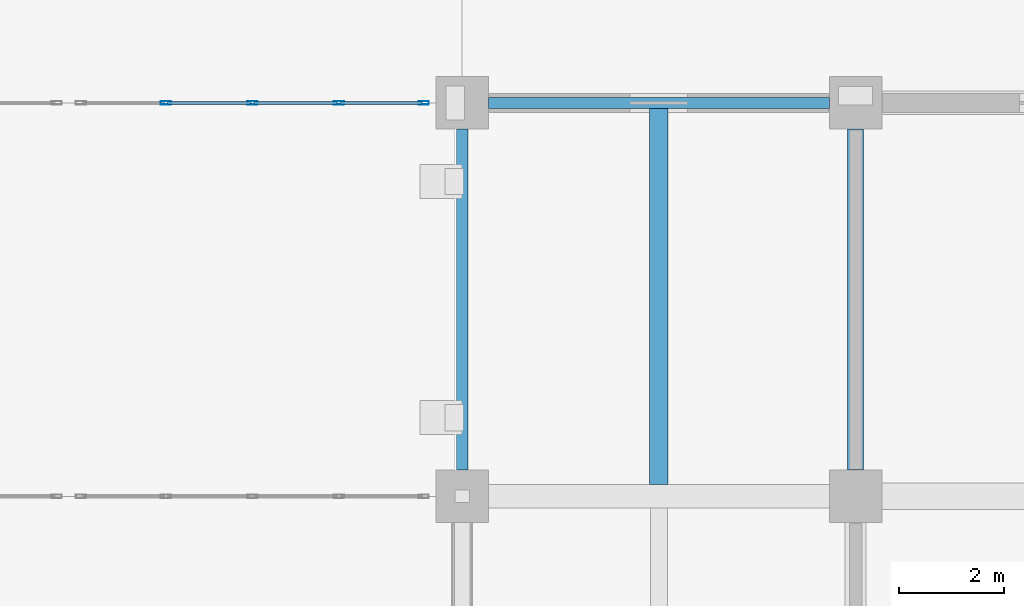
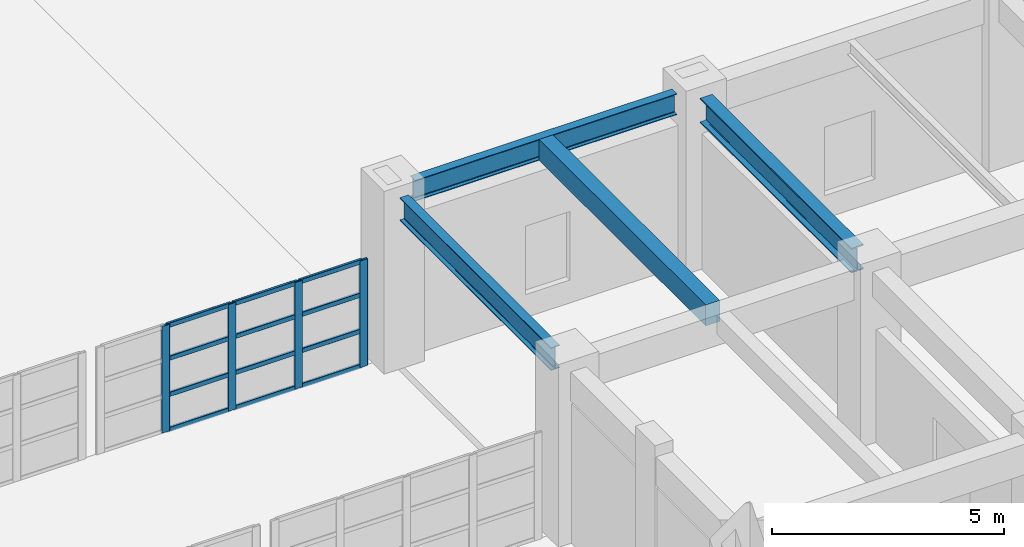
# One storey, part 40 of 122: 16 members, 4 beams, 1 element without a shape of its own.
"""IFC4 building model written with IfcOpenShell, lengths in metres."""

import ifcopenshell
import ifcopenshell.guid

model = None  # the IFC model being written
_history = None  # IfcOwnerHistory: only IFC2X3 demands one
_inside = {}  # id of a spatial element -> (the spatial element, [elements in it])
_under = {}  # id of a project, library or spatial element -> (it, [spatial elements below it])
_declared = {}  # id of a project -> (the project, [libraries it declares])
_typed = {}  # id of a type object -> (the type object, [elements of that type])
_made_of = {}  # id of a material, layer set ... -> (it, [elements and type objects made of it])


def new_model(schema):
    """Start an empty IFC model of exactly this schema.

    Asked for "IFC4X3", IfcOpenShell would pick the latest addendum, in which some entities
    have other attributes; the version numbers below select the first issue.
    IFC2X3 requires an IfcOwnerHistory on every rooted entity: one is made here for all.
    """
    global model, _history
    if schema == "IFC4X3":
        model = ifcopenshell.file(schema_version=(4, 3, 0, 0))
    else:
        model = ifcopenshell.file(schema=schema)
    _inside.clear()
    _under.clear()
    _declared.clear()
    _typed.clear()
    _made_of.clear()
    _history = None
    if model.schema == "IFC2X3":
        org = make("IfcOrganization", Name="unknown")
        user = make(
            "IfcPersonAndOrganization",
            ThePerson=make("IfcPerson", FamilyName="unknown"),
            TheOrganization=org,
        )
        app = make(
            "IfcApplication",
            ApplicationDeveloper=org,
            Version="unknown",
            ApplicationFullName="unknown",
            ApplicationIdentifier="unknown",
        )
        _history = make(
            "IfcOwnerHistory",
            OwningUser=user,
            OwningApplication=app,
            ChangeAction="ADDED",
            CreationDate=0,
        )
    return model


def make(cls, **values):
    """One entity of the class cls with the attributes given. An attribute that is None is left unset."""
    return model.create_entity(
        cls, **{name: value for name, value in values.items() if value is not None}
    )


def rooted(cls, **values):
    """An entity with a GlobalId (a new one), such as an element, a storey or a relation."""
    return make(cls, GlobalId=ifcopenshell.guid.new(), OwnerHistory=_history, **values)


def si_unit(unit_type, name, prefix=None):
    """IfcSIUnit, for example si_unit("LENGTHUNIT", "METRE", prefix="MILLI")."""
    return make("IfcSIUnit", UnitType=unit_type, Prefix=prefix, Name=name)


def assignment(units):
    """IfcUnitAssignment: the units of a project."""
    return None if units is None else make("IfcUnitAssignment", Units=units)


def point(xyz):
    """IfcCartesianPoint."""
    return None if xyz is None else make("IfcCartesianPoint", Coordinates=xyz)


def direction(xyz):
    """IfcDirection."""
    return None if xyz is None else make("IfcDirection", DirectionRatios=xyz)


def frame(location, z_axis=None, x_axis=None):
    """IfcAxis2Placement3D, a coordinate frame: its origin and axes. An axis left out is left unset."""
    return make(
        "IfcAxis2Placement3D",
        Location=point(location),
        Axis=direction(z_axis),
        RefDirection=direction(x_axis),
    )


def frame_2d(location, x_axis=None):
    """IfcAxis2Placement2D, a coordinate frame in the plane: its origin and x axis."""
    return make(
        "IfcAxis2Placement2D", Location=point(location), RefDirection=direction(x_axis)
    )


def origin():
    """The frame at (0, 0, 0) with its axes left unset."""
    return frame((0.0, 0.0, 0.0))


def origin_2d():
    """The frame at (0, 0) in the plane with its x axis left unset."""
    return frame_2d((0.0, 0.0))


def place(relative_to, where):
    """IfcLocalPlacement: puts the frame where relative to a parent placement (None: the world)."""
    return make(
        "IfcLocalPlacement", PlacementRelTo=relative_to, RelativePlacement=where
    )


def context(
    kind, dimensions, precision=None, world=None, true_north=None, identifier=None
):
    """IfcGeometricRepresentationContext, for example the 3D "Model" context."""
    return make(
        "IfcGeometricRepresentationContext",
        ContextIdentifier=identifier,
        ContextType=kind,
        CoordinateSpaceDimension=dimensions,
        Precision=precision,
        WorldCoordinateSystem=world,
        TrueNorth=true_north,
    )


def subcontext(parent, identifier, kind, view, scale=None):
    """IfcGeometricRepresentationSubContext, for example "Body" below "Model"."""
    return make(
        "IfcGeometricRepresentationSubContext",
        ContextIdentifier=identifier,
        ContextType=kind,
        ParentContext=parent,
        TargetScale=scale,
        TargetView=view,
    )


def project(units=None, contexts=None):
    """IfcProject with its units and contexts."""
    return rooted(
        "IfcProject",
        Name="project",
        RepresentationContexts=contexts,
        UnitsInContext=assignment(units),
    )


def spatial(cls, under=None, at=None, **own):
    """A site, building, storey or space (cls), placed at a placement, below another one or the project."""
    s = rooted(cls, ObjectPlacement=at, **own)
    if under is not None:
        _under.setdefault(under.id(), (under, []))[1].append(s)
    return s


def profile(cls, at=None, kind="AREA", **sizes):
    """A parametric profile (cls). Its sizes go by their IFC names, for example OverallWidth=200.0."""
    return make(cls, ProfileType=kind, Position=at, **sizes)


def rectangle(**sizes):
    """IfcRectangleProfileDef."""
    return profile("IfcRectangleProfileDef", **sizes)


def hollow_rectangle(**sizes):
    """IfcRectangleHollowProfileDef."""
    return profile("IfcRectangleHollowProfileDef", **sizes)


def i_section(**sizes):
    """IfcIShapeProfileDef."""
    return profile("IfcIShapeProfileDef", **sizes)


def extrude(swept, where, along, depth):
    """IfcExtrudedAreaSolid: the profile swept, set in the frame where, extruded along a direction by depth."""
    return make(
        "IfcExtrudedAreaSolid",
        SweptArea=swept,
        Position=where,
        ExtrudedDirection=direction(along),
        Depth=depth,
    )


def shape(context_of_items, identifier, shape_type, items):
    """IfcShapeRepresentation: the items that make up one representation, for example the "Body"."""
    return make(
        "IfcShapeRepresentation",
        ContextOfItems=context_of_items,
        RepresentationIdentifier=identifier,
        RepresentationType=shape_type,
        Items=items,
    )


def material(Name=None, Category=None):
    """IfcMaterial."""
    return make("IfcMaterial", Name=Name, Category=Category)


def material_profile(
    of_material, cross_section, Name=None, Category=None, Priority=None
):
    """IfcMaterialProfile: a cross section and its material."""
    return make(
        "IfcMaterialProfile",
        Name=Name,
        Material=of_material,
        Profile=cross_section,
        Priority=Priority,
        Category=Category,
    )


def profile_set(profiles, Name=None, composite=None):
    """IfcMaterialProfileSet."""
    return make(
        "IfcMaterialProfileSet",
        Name=Name,
        MaterialProfiles=profiles,
        CompositeProfile=composite,
    )


def made_of(thing, what):
    """Note that an element or type object is made of a material, layer set ...; save() writes the relation."""
    if what is not None:
        _made_of.setdefault(what.id(), (what, []))[1].append(thing)
    return thing


def type_object(cls, material=None, **own):
    """A type object (cls), such as IfcWallType, which elements share."""
    return made_of(rooted(cls, **own), material)


def element(
    cls,
    number,
    at=None,
    inside=None,
    cuts=None,
    type_object=None,
    material=None,
    context=None,
    identifier="Body",
    shape_type=None,
    held_by="IfcProductDefinitionShape",
    body=None,
    shapes=None,
    **own,
):
    """One element of the class cls, such as IfcWall. Its Tag is "e" and its number.

    at: its placement. inside: the storey or other place that contains it. cuts: it is an
    opening in that element (IfcRelVoidsElement). A single representation is given by context,
    identifier, shape_type and body (its items); several are given by shapes. held_by: the class
    of the entity that holds the representations. save() writes the other relations.
    """
    e = rooted(cls, Tag="e%d" % number, ObjectPlacement=at, **own)
    if body is not None:
        shapes = [shape(context, identifier, shape_type, body)]
    if shapes is not None:
        e.Representation = make(held_by, Representations=shapes)
    if inside is not None:
        _inside.setdefault(inside.id(), (inside, []))[1].append(e)
    if cuts is not None:
        rooted(
            "IfcRelVoidsElement", RelatingBuildingElement=cuts, RelatedOpeningElement=e
        )
    if type_object is not None:
        _typed.setdefault(type_object.id(), (type_object, []))[1].append(e)
    return made_of(e, material)


def aggregate(whole, parts):
    """IfcRelAggregates: a whole, such as a stair, and the parts it consists of."""
    return rooted("IfcRelAggregates", RelatingObject=whole, RelatedObjects=parts)


def save(model, path):
    """Write the relations noted so far, then the file.

    IfcRelAggregates (storeys below a building ...), IfcRelContainedInSpatialStructure (elements
    in a storey), IfcRelDefinesByType, IfcRelAssociatesMaterial and IfcRelDeclares: one each for
    every whole, place, type object, material and project.
    """
    for whole, parts in _under.values():
        aggregate(whole, parts)
    for where, things in _inside.values():
        rooted(
            "IfcRelContainedInSpatialStructure",
            RelatedElements=things,
            RelatingStructure=where,
        )
    for kind, things in _typed.values():
        rooted("IfcRelDefinesByType", RelatedObjects=things, RelatingType=kind)
    for what, things in _made_of.values():
        rooted("IfcRelAssociatesMaterial", RelatedObjects=things, RelatingMaterial=what)
    for by, libraries in _declared.values():
        rooted("IfcRelDeclares", RelatingContext=by, RelatedDefinitions=libraries)
    model.write(path)


model = new_model("IFC4")

# Units and contexts
model_context = context("Model", 3, precision=1e-05, world=origin(), true_north=direction((0.0, 1.0)))
body_context = subcontext(model_context, "Body", "Model", "MODEL_VIEW")
ifc_project = project(units=[si_unit("LENGTHUNIT", "METRE"), si_unit("AREAUNIT", "SQUARE_METRE"), si_unit("VOLUMEUNIT", "CUBIC_METRE"), si_unit("PLANEANGLEUNIT", "RADIAN"), si_unit("MASSUNIT", "GRAM", prefix="KILO")], contexts=[model_context])

# Site, building, storey
site_placement = place(None, origin())
site = spatial("IfcSite", under=ifc_project, at=site_placement, CompositionType="ELEMENT")
building_placement = place(site_placement, origin())
building = spatial("IfcBuilding", under=site, at=building_placement, Name="Qasida Concert Hall", CompositionType="ELEMENT")
storey_placement = place(building_placement, origin())
storey = spatial("IfcBuildingStorey", under=building, at=storey_placement, Name="L00", CompositionType="ELEMENT", Elevation=0.0)

# Beams
ifc_material_1 = material(Name="Steel S355J2", Category="steel")
ifc_material_profile_1 = material_profile(ifc_material_1, i_section(OverallWidth=0.300048828125, OverallDepth=0.64990234375, WebThickness=0.01611328125, FlangeThickness=0.031005859375, FilletRadius=0.027099609375, at=origin_2d()), Name="HEB 650")
ifc_profile_set_1 = profile_set([ifc_material_profile_1], Name="Steel S355J2")
beam_type_1 = type_object("IfcBeamType", Name="BM-B13", PredefinedType="BEAM", material=ifc_profile_set_1)
beam_1_placement = place(storey_placement, frame((60.0, 75.5, 4.175048828125), z_axis=(0.0, 1.0, 0.0), x_axis=(-1.0, 0.0, 0.0)))
element("IfcBeam", 1, at=beam_1_placement, inside=storey, type_object=beam_type_1, Name="L00 girder 0415", PredefinedType="BEAM", context=body_context, shape_type="SweptSolid", body=[
    extrude(i_section(OverallWidth=0.300048828125, OverallDepth=0.64990234375, WebThickness=0.01611328125, FlangeThickness=0.031005859375, FilletRadius=0.027099609375, at=origin_2d()), origin(), (0.0, 0.0, 1.0), 6.5),
])
ifc_material_2 = material(Name="Concrete C40/50", Category="concrete")
ifc_material_profile_2 = material_profile(ifc_material_2, rectangle(XDim=0.35009765625, YDim=0.550048828125, at=origin_2d()), Name="RC 350x550")
ifc_profile_set_2 = profile_set([ifc_material_profile_2], Name="Concrete C40/50")
beam_type_2 = type_object("IfcBeamType", Name="BM-J8", PredefinedType="JOIST", material=ifc_profile_set_2)
beam_2_placement = place(storey_placement, frame((56.25, 75.22509765625, 4.22509765625), z_axis=(0.0, 1.0, 0.0), x_axis=(-1.0, 0.0, 0.0)))
element("IfcBeam", 2, at=beam_2_placement, inside=storey, type_object=beam_type_2, Name="L00 secondary joist 0447", PredefinedType="JOIST", context=body_context, shape_type="SweptSolid", body=[
    extrude(rectangle(XDim=0.35009765625, YDim=0.550048828125, at=origin_2d()), origin(), (0.0, 0.0, 1.0), 7.169921875),
])
ifc_material_profile_3 = material_profile(ifc_material_1, i_section(OverallWidth=0.2099609375, OverallDepth=0.550048828125, WebThickness=0.010986328125, FlangeThickness=0.01708984375, FilletRadius=0.02392578125, at=origin_2d()), Name="IPE 550")
ifc_profile_set_3 = profile_set([ifc_material_profile_3], Name="Steel S355J2")
beam_type_3 = type_object("IfcBeamType", Name="BM-SP2", PredefinedType="SPANDREL", material=ifc_profile_set_3)
beam_3_placement = place(storey_placement, frame((53.0, 82.5, 4.22509765625), z_axis=(1.0, 0.0, 0.0), x_axis=(0.0, 1.0, 0.0)))
element("IfcBeam", 3, at=beam_3_placement, inside=storey, type_object=beam_type_3, Name="Primary girder 0397", PredefinedType="SPANDREL", context=body_context, shape_type="SweptSolid", body=[
    extrude(i_section(OverallWidth=0.2099609375, OverallDepth=0.550048828125, WebThickness=0.010986328125, FlangeThickness=0.01708984375, FilletRadius=0.02392578125, at=origin_2d()), origin(), (0.0, 0.0, 1.0), 6.5),
])
ifc_material_profile_4 = material_profile(ifc_material_1, i_section(OverallWidth=0.219970703125, OverallDepth=0.60009765625, WebThickness=0.011962890625, FlangeThickness=0.01904296875, FilletRadius=0.02392578125, at=origin_2d()), Name="IPE 600")
ifc_profile_set_4 = profile_set([ifc_material_profile_4], Name="Steel S355J2")
beam_type_4 = type_object("IfcBeamType", Name="BM-SP3", PredefinedType="SPANDREL", material=ifc_profile_set_4)
beam_4_placement = place(storey_placement, frame((52.5, 75.5, 4.199951171875), z_axis=(0.0, 1.0, 0.0), x_axis=(-1.0, 0.0, 0.0)))
element("IfcBeam", 4, at=beam_4_placement, inside=storey, type_object=beam_type_4, Name="L00 girder 0409", PredefinedType="SPANDREL", context=body_context, shape_type="SweptSolid", body=[
    extrude(i_section(OverallWidth=0.219970703125, OverallDepth=0.60009765625, WebThickness=0.011962890625, FlangeThickness=0.01904296875, FilletRadius=0.02392578125, at=origin_2d()), origin(), (0.0, 0.0, 1.0), 6.5),
])

# Curtain wall, members
ifc_material_3 = material(Name="Architectural bronze-anodized aluminium and low-E glass", Category="aluminium")
curtain_wall_type = type_object("IfcCurtainWallType", Name="CW-08", PredefinedType="NOTDEFINED", material=ifc_material_3)
curtain_wall_placement = place(storey_placement, origin())
curtain_wall = element("IfcCurtainWall", 5, at=curtain_wall_placement, inside=storey, type_object=curtain_wall_type, Name="L00 link bridge glazing 0213", PredefinedType="NOTDEFINED")
ifc_material_4 = material(Name="Architectural bronze-anodized aluminium EN AW-6063", Category="aluminium")
ifc_material_profile_5 = material_profile(ifc_material_4, hollow_rectangle(XDim=0.06494140625, YDim=0.199951171875, WallThickness=0.0048828125, InnerFilletRadius=0.0048828125, OuterFilletRadius=0.010009765625, at=origin_2d()), Name="CWM 200x65x5")
ifc_profile_set_5 = profile_set([ifc_material_profile_5], Name="Architectural bronze-anodized aluminium EN AW-6063")
member_type_1 = type_object("IfcMemberType", Name="MB-CWM-2", PredefinedType="MULLION", material=ifc_profile_set_5)
member_1_placement = place(storey_placement, frame((46.85009765625, 82.5, 0.0), z_axis=(0.0, 0.0, 1.0), x_axis=(0.0, 1.0, 0.0)))
member_1 = element("IfcMember", 6, at=member_1_placement, type_object=member_type_1, Name="CW-08 mullion 2", PredefinedType="MULLION", context=body_context, shape_type="SweptSolid", body=[
    extrude(hollow_rectangle(XDim=0.06494140625, YDim=0.199951171875, WallThickness=0.0048828125, InnerFilletRadius=0.0048828125, OuterFilletRadius=0.010009765625, at=origin_2d()), origin(), (0.0, 0.0, 1.0), 2.800048828125),
])
member_2_placement = place(storey_placement, frame((48.5, 82.5, 0.0), z_axis=(0.0, 0.0, 1.0), x_axis=(0.0, 1.0, 0.0)))
member_2 = element("IfcMember", 7, at=member_2_placement, type_object=member_type_1, Name="CW-08 mullion 3", PredefinedType="MULLION", context=body_context, shape_type="SweptSolid", body=[
    extrude(hollow_rectangle(XDim=0.06494140625, YDim=0.199951171875, WallThickness=0.0048828125, InnerFilletRadius=0.0048828125, OuterFilletRadius=0.010009765625, at=origin_2d()), origin(), (0.0, 0.0, 1.0), 2.800048828125),
])
member_3_placement = place(storey_placement, frame((50.14990234375, 82.5, 0.0), z_axis=(0.0, 0.0, 1.0), x_axis=(0.0, 1.0, 0.0)))
member_3 = element("IfcMember", 8, at=member_3_placement, type_object=member_type_1, Name="CW-08 mullion 4", PredefinedType="MULLION", context=body_context, shape_type="SweptSolid", body=[
    extrude(hollow_rectangle(XDim=0.06494140625, YDim=0.199951171875, WallThickness=0.0048828125, InnerFilletRadius=0.0048828125, OuterFilletRadius=0.010009765625, at=origin_2d()), origin(), (0.0, 0.0, 1.0), 2.800048828125),
])
member_4_placement = place(storey_placement, frame((51.767578125, 82.5, 0.0), z_axis=(0.0, 0.0, 1.0), x_axis=(0.0, 1.0, 0.0)))
member_4 = element("IfcMember", 9, at=member_4_placement, type_object=member_type_1, Name="CW-08 mullion 5", PredefinedType="MULLION", context=body_context, shape_type="SweptSolid", body=[
    extrude(hollow_rectangle(XDim=0.06494140625, YDim=0.199951171875, WallThickness=0.0048828125, InnerFilletRadius=0.0048828125, OuterFilletRadius=0.010009765625, at=origin_2d()), origin(), (0.0, 0.0, 1.0), 2.800048828125),
])
ifc_material_profile_6 = material_profile(ifc_material_4, hollow_rectangle(XDim=0.06005859375, YDim=0.1201171875, WallThickness=0.00390625, InnerFilletRadius=0.00390625, OuterFilletRadius=0.008056640625, at=origin_2d()), Name="CWT 120x60x4")
ifc_profile_set_6 = profile_set([ifc_material_profile_6], Name="Architectural bronze-anodized aluminium EN AW-6063")
member_type_2 = type_object("IfcMemberType", Name="MB-CWT-2", PredefinedType="USERDEFINED", material=ifc_profile_set_6)
member_5_placement = place(storey_placement, frame((46.882568359375, 82.5, 0.030029296875), z_axis=(1.0, 0.0, 0.0), x_axis=(0.0, 1.0, 0.0)))
member_5 = element("IfcMember", 10, at=member_5_placement, type_object=member_type_2, Name="CW-08 transom 2.1", ObjectType="TRANSOM", PredefinedType="USERDEFINED", context=body_context, shape_type="SweptSolid", body=[
    extrude(hollow_rectangle(XDim=0.06005859375, YDim=0.1201171875, WallThickness=0.00390625, InnerFilletRadius=0.00390625, OuterFilletRadius=0.008056640625, at=origin_2d()), origin(), (0.0, 0.0, 1.0), 1.5849609375),
])
member_6_placement = place(storey_placement, frame((46.882568359375, 82.5, 0.949951171875), z_axis=(1.0, 0.0, 0.0), x_axis=(0.0, 1.0, 0.0)))
member_6 = element("IfcMember", 11, at=member_6_placement, type_object=member_type_2, Name="CW-08 transom 2.2", ObjectType="TRANSOM", PredefinedType="USERDEFINED", context=body_context, shape_type="SweptSolid", body=[
    extrude(hollow_rectangle(XDim=0.06005859375, YDim=0.1201171875, WallThickness=0.00390625, InnerFilletRadius=0.00390625, OuterFilletRadius=0.008056640625, at=origin_2d()), origin(), (0.0, 0.0, 1.0), 1.5849609375),
])
member_7_placement = place(storey_placement, frame((46.882568359375, 82.5, 1.89990234375), z_axis=(1.0, 0.0, 0.0), x_axis=(0.0, 1.0, 0.0)))
member_7 = element("IfcMember", 12, at=member_7_placement, type_object=member_type_2, Name="CW-08 transom 2.3", ObjectType="TRANSOM", PredefinedType="USERDEFINED", context=body_context, shape_type="SweptSolid", body=[
    extrude(hollow_rectangle(XDim=0.06005859375, YDim=0.1201171875, WallThickness=0.00390625, InnerFilletRadius=0.00390625, OuterFilletRadius=0.008056640625, at=origin_2d()), origin(), (0.0, 0.0, 1.0), 1.5849609375),
])
member_8_placement = place(storey_placement, frame((46.882568359375, 82.5, 2.77001953125), z_axis=(1.0, 0.0, 0.0), x_axis=(0.0, 1.0, 0.0)))
member_8 = element("IfcMember", 13, at=member_8_placement, type_object=member_type_2, Name="CW-08 transom 2.4", ObjectType="TRANSOM", PredefinedType="USERDEFINED", context=body_context, shape_type="SweptSolid", body=[
    extrude(hollow_rectangle(XDim=0.06005859375, YDim=0.1201171875, WallThickness=0.00390625, InnerFilletRadius=0.00390625, OuterFilletRadius=0.008056640625, at=origin_2d()), origin(), (0.0, 0.0, 1.0), 1.5849609375),
])
member_9_placement = place(storey_placement, frame((48.532470703125, 82.5, 0.030029296875), z_axis=(1.0, 0.0, 0.0), x_axis=(0.0, 1.0, 0.0)))
member_9 = element("IfcMember", 14, at=member_9_placement, type_object=member_type_2, Name="CW-08 transom 3.1", ObjectType="TRANSOM", PredefinedType="USERDEFINED", context=body_context, shape_type="SweptSolid", body=[
    extrude(hollow_rectangle(XDim=0.06005859375, YDim=0.1201171875, WallThickness=0.00390625, InnerFilletRadius=0.00390625, OuterFilletRadius=0.008056640625, at=origin_2d()), origin(), (0.0, 0.0, 1.0), 1.5849609375),
])
member_10_placement = place(storey_placement, frame((48.532470703125, 82.5, 0.949951171875), z_axis=(1.0, 0.0, 0.0), x_axis=(0.0, 1.0, 0.0)))
member_10 = element("IfcMember", 15, at=member_10_placement, type_object=member_type_2, Name="CW-08 transom 3.2", ObjectType="TRANSOM", PredefinedType="USERDEFINED", context=body_context, shape_type="SweptSolid", body=[
    extrude(hollow_rectangle(XDim=0.06005859375, YDim=0.1201171875, WallThickness=0.00390625, InnerFilletRadius=0.00390625, OuterFilletRadius=0.008056640625, at=origin_2d()), origin(), (0.0, 0.0, 1.0), 1.5849609375),
])
member_11_placement = place(storey_placement, frame((48.532470703125, 82.5, 1.89990234375), z_axis=(1.0, 0.0, 0.0), x_axis=(0.0, 1.0, 0.0)))
member_11 = element("IfcMember", 16, at=member_11_placement, type_object=member_type_2, Name="CW-08 transom 3.3", ObjectType="TRANSOM", PredefinedType="USERDEFINED", context=body_context, shape_type="SweptSolid", body=[
    extrude(hollow_rectangle(XDim=0.06005859375, YDim=0.1201171875, WallThickness=0.00390625, InnerFilletRadius=0.00390625, OuterFilletRadius=0.008056640625, at=origin_2d()), origin(), (0.0, 0.0, 1.0), 1.5849609375),
])
member_12_placement = place(storey_placement, frame((48.532470703125, 82.5, 2.77001953125), z_axis=(1.0, 0.0, 0.0), x_axis=(0.0, 1.0, 0.0)))
member_12 = element("IfcMember", 17, at=member_12_placement, type_object=member_type_2, Name="CW-08 transom 3.4", ObjectType="TRANSOM", PredefinedType="USERDEFINED", context=body_context, shape_type="SweptSolid", body=[
    extrude(hollow_rectangle(XDim=0.06005859375, YDim=0.1201171875, WallThickness=0.00390625, InnerFilletRadius=0.00390625, OuterFilletRadius=0.008056640625, at=origin_2d()), origin(), (0.0, 0.0, 1.0), 1.5849609375),
])
member_13_placement = place(storey_placement, frame((50.1826171875, 82.5, 0.030029296875), z_axis=(1.0, 0.0, 0.0), x_axis=(0.0, 1.0, 0.0)))
member_13 = element("IfcMember", 18, at=member_13_placement, type_object=member_type_2, Name="CW-08 transom 4.1", ObjectType="TRANSOM", PredefinedType="USERDEFINED", context=body_context, shape_type="SweptSolid", body=[
    extrude(hollow_rectangle(XDim=0.06005859375, YDim=0.1201171875, WallThickness=0.00390625, InnerFilletRadius=0.00390625, OuterFilletRadius=0.008056640625, at=origin_2d()), origin(), (0.0, 0.0, 1.0), 1.552490234375),
])
member_14_placement = place(storey_placement, frame((50.1826171875, 82.5, 0.949951171875), z_axis=(1.0, 0.0, 0.0), x_axis=(0.0, 1.0, 0.0)))
member_14 = element("IfcMember", 19, at=member_14_placement, type_object=member_type_2, Name="CW-08 transom 4.2", ObjectType="TRANSOM", PredefinedType="USERDEFINED", context=body_context, shape_type="SweptSolid", body=[
    extrude(hollow_rectangle(XDim=0.06005859375, YDim=0.1201171875, WallThickness=0.00390625, InnerFilletRadius=0.00390625, OuterFilletRadius=0.008056640625, at=origin_2d()), origin(), (0.0, 0.0, 1.0), 1.552490234375),
])
member_15_placement = place(storey_placement, frame((50.1826171875, 82.5, 1.89990234375), z_axis=(1.0, 0.0, 0.0), x_axis=(0.0, 1.0, 0.0)))
member_15 = element("IfcMember", 20, at=member_15_placement, type_object=member_type_2, Name="CW-08 transom 4.3", ObjectType="TRANSOM", PredefinedType="USERDEFINED", context=body_context, shape_type="SweptSolid", body=[
    extrude(hollow_rectangle(XDim=0.06005859375, YDim=0.1201171875, WallThickness=0.00390625, InnerFilletRadius=0.00390625, OuterFilletRadius=0.008056640625, at=origin_2d()), origin(), (0.0, 0.0, 1.0), 1.552490234375),
])
member_16_placement = place(storey_placement, frame((50.1826171875, 82.5, 2.77001953125), z_axis=(1.0, 0.0, 0.0), x_axis=(0.0, 1.0, 0.0)))
member_16 = element("IfcMember", 21, at=member_16_placement, type_object=member_type_2, Name="CW-08 transom 4.4", ObjectType="TRANSOM", PredefinedType="USERDEFINED", context=body_context, shape_type="SweptSolid", body=[
    extrude(hollow_rectangle(XDim=0.06005859375, YDim=0.1201171875, WallThickness=0.00390625, InnerFilletRadius=0.00390625, OuterFilletRadius=0.008056640625, at=origin_2d()), origin(), (0.0, 0.0, 1.0), 1.552490234375),
])
aggregate(curtain_wall, [member_1, member_2, member_3, member_4, member_5, member_6, member_7, member_8, member_9, member_10, member_11, member_12, member_13, member_14, member_15, member_16])

save(model, "model.ifc")
